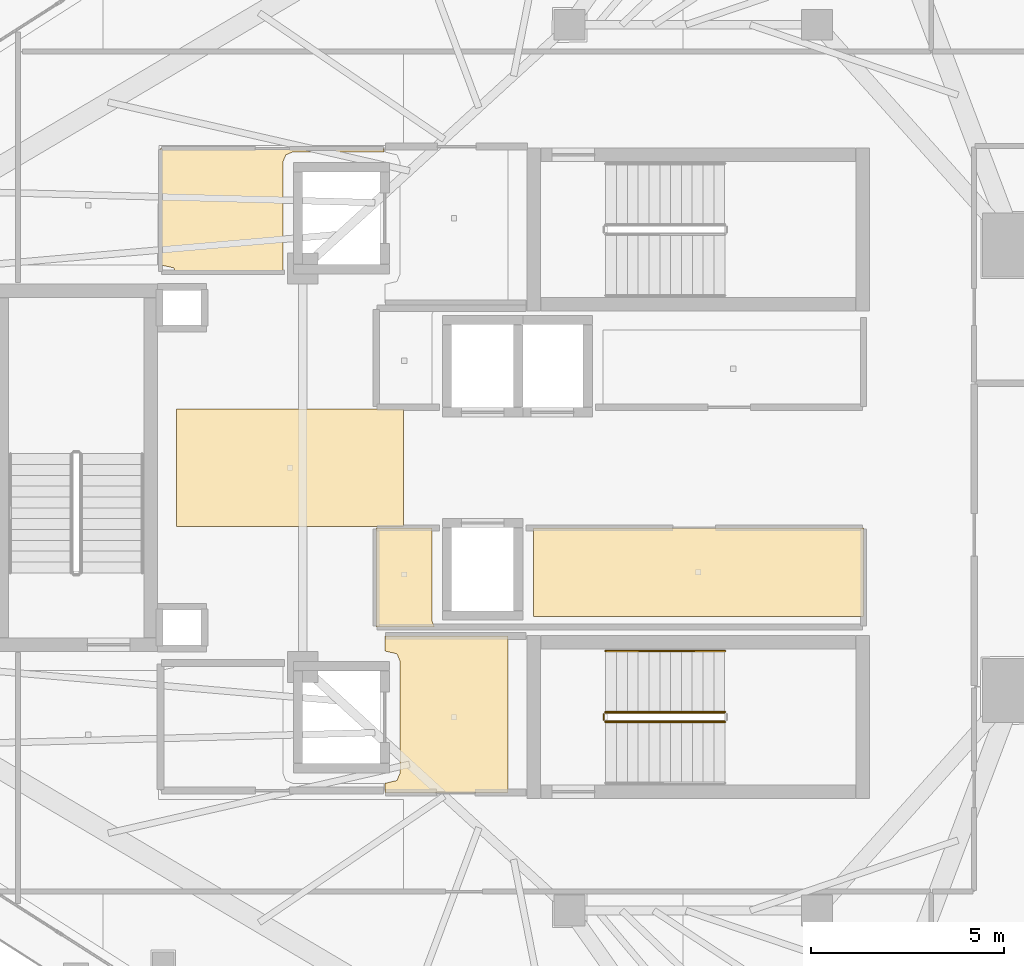
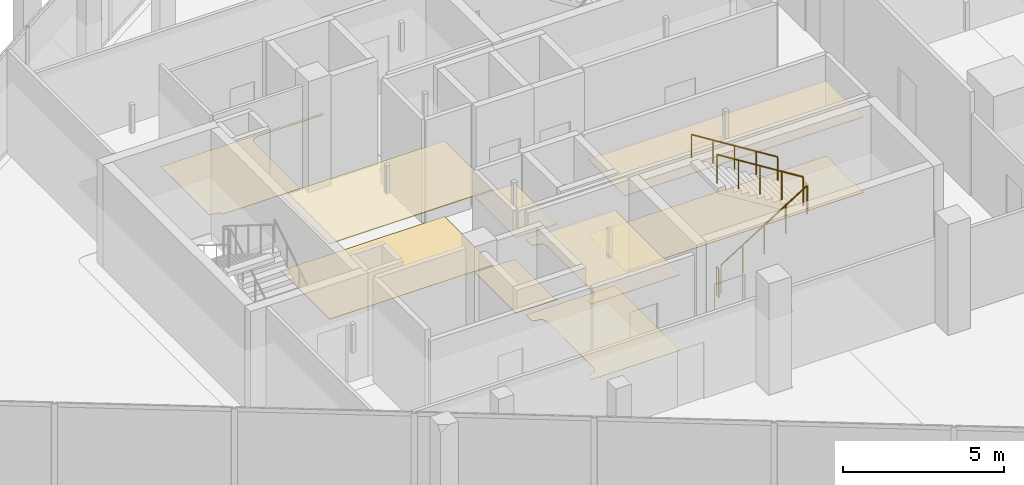
# One storey, part 31 of 34: 9 coverings, 4 railings.
"""IFC4 building model written with IfcOpenShell, lengths in metres."""

import ifcopenshell
import ifcopenshell.guid

model = None  # the IFC model being written
_history = None  # IfcOwnerHistory: only IFC2X3 demands one
_inside = {}  # id of a spatial element -> (the spatial element, [elements in it])
_under = {}  # id of a project, library or spatial element -> (it, [spatial elements below it])
_declared = {}  # id of a project -> (the project, [libraries it declares])
_typed = {}  # id of a type object -> (the type object, [elements of that type])
_made_of = {}  # id of a material, layer set ... -> (it, [elements and type objects made of it])


def new_model(schema):
    """Start an empty IFC model of exactly this schema.

    Asked for "IFC4X3", IfcOpenShell would pick the latest addendum, in which some entities
    have other attributes; the version numbers below select the first issue.
    IFC2X3 requires an IfcOwnerHistory on every rooted entity: one is made here for all.
    """
    global model, _history
    if schema == "IFC4X3":
        model = ifcopenshell.file(schema_version=(4, 3, 0, 0))
    else:
        model = ifcopenshell.file(schema=schema)
    _inside.clear()
    _under.clear()
    _declared.clear()
    _typed.clear()
    _made_of.clear()
    _history = None
    if model.schema == "IFC2X3":
        org = make("IfcOrganization", Name="unknown")
        user = make(
            "IfcPersonAndOrganization",
            ThePerson=make("IfcPerson", FamilyName="unknown"),
            TheOrganization=org,
        )
        app = make(
            "IfcApplication",
            ApplicationDeveloper=org,
            Version="unknown",
            ApplicationFullName="unknown",
            ApplicationIdentifier="unknown",
        )
        _history = make(
            "IfcOwnerHistory",
            OwningUser=user,
            OwningApplication=app,
            ChangeAction="ADDED",
            CreationDate=0,
        )
    return model


def make(cls, **values):
    """One entity of the class cls with the attributes given. An attribute that is None is left unset."""
    return model.create_entity(
        cls, **{name: value for name, value in values.items() if value is not None}
    )


def rooted(cls, **values):
    """An entity with a GlobalId (a new one), such as an element, a storey or a relation."""
    return make(cls, GlobalId=ifcopenshell.guid.new(), OwnerHistory=_history, **values)


def si_unit(unit_type, name, prefix=None):
    """IfcSIUnit, for example si_unit("LENGTHUNIT", "METRE", prefix="MILLI")."""
    return make("IfcSIUnit", UnitType=unit_type, Prefix=prefix, Name=name)


def assignment(units):
    """IfcUnitAssignment: the units of a project."""
    return None if units is None else make("IfcUnitAssignment", Units=units)


def point(xyz):
    """IfcCartesianPoint."""
    return None if xyz is None else make("IfcCartesianPoint", Coordinates=xyz)


def direction(xyz):
    """IfcDirection."""
    return None if xyz is None else make("IfcDirection", DirectionRatios=xyz)


def frame(location, z_axis=None, x_axis=None):
    """IfcAxis2Placement3D, a coordinate frame: its origin and axes. An axis left out is left unset."""
    return make(
        "IfcAxis2Placement3D",
        Location=point(location),
        Axis=direction(z_axis),
        RefDirection=direction(x_axis),
    )


def frame_2d(location, x_axis=None):
    """IfcAxis2Placement2D, a coordinate frame in the plane: its origin and x axis."""
    return make(
        "IfcAxis2Placement2D", Location=point(location), RefDirection=direction(x_axis)
    )


def origin():
    """The frame at (0, 0, 0) with its axes left unset."""
    return frame((0.0, 0.0, 0.0))


def origin_2d():
    """The frame at (0, 0) in the plane with its x axis left unset."""
    return frame_2d((0.0, 0.0))


def place(relative_to, where):
    """IfcLocalPlacement: puts the frame where relative to a parent placement (None: the world)."""
    return make(
        "IfcLocalPlacement", PlacementRelTo=relative_to, RelativePlacement=where
    )


def context(
    kind, dimensions, precision=None, world=None, true_north=None, identifier=None
):
    """IfcGeometricRepresentationContext, for example the 3D "Model" context."""
    return make(
        "IfcGeometricRepresentationContext",
        ContextIdentifier=identifier,
        ContextType=kind,
        CoordinateSpaceDimension=dimensions,
        Precision=precision,
        WorldCoordinateSystem=world,
        TrueNorth=true_north,
    )


def subcontext(parent, identifier, kind, view, scale=None):
    """IfcGeometricRepresentationSubContext, for example "Body" below "Model"."""
    return make(
        "IfcGeometricRepresentationSubContext",
        ContextIdentifier=identifier,
        ContextType=kind,
        ParentContext=parent,
        TargetScale=scale,
        TargetView=view,
    )


def project(units=None, contexts=None):
    """IfcProject with its units and contexts."""
    return rooted(
        "IfcProject",
        Name="project",
        RepresentationContexts=contexts,
        UnitsInContext=assignment(units),
    )


def spatial(cls, under=None, at=None, **own):
    """A site, building, storey or space (cls), placed at a placement, below another one or the project."""
    s = rooted(cls, ObjectPlacement=at, **own)
    if under is not None:
        _under.setdefault(under.id(), (under, []))[1].append(s)
    return s


def polyline(points):
    """IfcPolyline through the points."""
    return make("IfcPolyline", Points=[point(p) for p in points])


def profile(cls, at=None, kind="AREA", **sizes):
    """A parametric profile (cls). Its sizes go by their IFC names, for example OverallWidth=200.0."""
    return make(cls, ProfileType=kind, Position=at, **sizes)


def circle(**sizes):
    """IfcCircleProfileDef."""
    return profile("IfcCircleProfileDef", **sizes)


def outline(outer, holes=None, kind="AREA"):
    """IfcArbitraryClosedProfileDef: a profile drawn as a closed curve; with holes, ...WithVoids."""
    if holes is None:
        return make("IfcArbitraryClosedProfileDef", ProfileType=kind, OuterCurve=outer)
    return make(
        "IfcArbitraryProfileDefWithVoids",
        ProfileType=kind,
        OuterCurve=outer,
        InnerCurves=holes,
    )


def extrude(swept, where, along, depth):
    """IfcExtrudedAreaSolid: the profile swept, set in the frame where, extruded along a direction by depth."""
    return make(
        "IfcExtrudedAreaSolid",
        SweptArea=swept,
        Position=where,
        ExtrudedDirection=direction(along),
        Depth=depth,
    )


def shape(context_of_items, identifier, shape_type, items):
    """IfcShapeRepresentation: the items that make up one representation, for example the "Body"."""
    return make(
        "IfcShapeRepresentation",
        ContextOfItems=context_of_items,
        RepresentationIdentifier=identifier,
        RepresentationType=shape_type,
        Items=items,
    )


def material(Name=None, Category=None):
    """IfcMaterial."""
    return make("IfcMaterial", Name=Name, Category=Category)


def layer(
    of_material, thickness, ventilated=None, Name=None, Category=None, Priority=None
):
    """IfcMaterialLayer: one layer of a wall or slab, of a material (None: an air gap)."""
    return make(
        "IfcMaterialLayer",
        Material=of_material,
        LayerThickness=thickness,
        IsVentilated=ventilated,
        Name=Name,
        Category=Category,
        Priority=Priority,
    )


def layer_set(layers, Name=None):
    """IfcMaterialLayerSet."""
    return make("IfcMaterialLayerSet", MaterialLayers=layers, LayerSetName=Name)


def made_of(thing, what):
    """Note that an element or type object is made of a material, layer set ...; save() writes the relation."""
    if what is not None:
        _made_of.setdefault(what.id(), (what, []))[1].append(thing)
    return thing


def type_object(cls, material=None, **own):
    """A type object (cls), such as IfcWallType, which elements share."""
    return made_of(rooted(cls, **own), material)


def element(
    cls,
    number,
    at=None,
    inside=None,
    cuts=None,
    type_object=None,
    material=None,
    context=None,
    identifier="Body",
    shape_type=None,
    held_by="IfcProductDefinitionShape",
    body=None,
    shapes=None,
    **own,
):
    """One element of the class cls, such as IfcWall. Its Tag is "e" and its number.

    at: its placement. inside: the storey or other place that contains it. cuts: it is an
    opening in that element (IfcRelVoidsElement). A single representation is given by context,
    identifier, shape_type and body (its items); several are given by shapes. held_by: the class
    of the entity that holds the representations. save() writes the other relations.
    """
    e = rooted(cls, Tag="e%d" % number, ObjectPlacement=at, **own)
    if body is not None:
        shapes = [shape(context, identifier, shape_type, body)]
    if shapes is not None:
        e.Representation = make(held_by, Representations=shapes)
    if inside is not None:
        _inside.setdefault(inside.id(), (inside, []))[1].append(e)
    if cuts is not None:
        rooted(
            "IfcRelVoidsElement", RelatingBuildingElement=cuts, RelatedOpeningElement=e
        )
    if type_object is not None:
        _typed.setdefault(type_object.id(), (type_object, []))[1].append(e)
    return made_of(e, material)


def aggregate(whole, parts):
    """IfcRelAggregates: a whole, such as a stair, and the parts it consists of."""
    return rooted("IfcRelAggregates", RelatingObject=whole, RelatedObjects=parts)


def save(model, path):
    """Write the relations noted so far, then the file.

    IfcRelAggregates (storeys below a building ...), IfcRelContainedInSpatialStructure (elements
    in a storey), IfcRelDefinesByType, IfcRelAssociatesMaterial and IfcRelDeclares: one each for
    every whole, place, type object, material and project.
    """
    for whole, parts in _under.values():
        aggregate(whole, parts)
    for where, things in _inside.values():
        rooted(
            "IfcRelContainedInSpatialStructure",
            RelatedElements=things,
            RelatingStructure=where,
        )
    for kind, things in _typed.values():
        rooted("IfcRelDefinesByType", RelatedObjects=things, RelatingType=kind)
    for what, things in _made_of.values():
        rooted("IfcRelAssociatesMaterial", RelatedObjects=things, RelatingMaterial=what)
    for by, libraries in _declared.values():
        rooted("IfcRelDeclares", RelatingContext=by, RelatedDefinitions=libraries)
    model.write(path)


model = new_model("IFC4")

# Units and contexts
model_context = context("Model", 3, precision=1e-05, world=origin(), true_north=direction((0.0, 1.0)))
body_context = subcontext(model_context, "Body", "Model", "MODEL_VIEW")
ifc_project = project(units=[si_unit("LENGTHUNIT", "METRE"), si_unit("AREAUNIT", "SQUARE_METRE"), si_unit("VOLUMEUNIT", "CUBIC_METRE"), si_unit("PLANEANGLEUNIT", "RADIAN"), si_unit("MASSUNIT", "GRAM", prefix="KILO")], contexts=[model_context])

# Site, building, storey
site_placement = place(None, origin())
site = spatial("IfcSite", under=ifc_project, at=site_placement, CompositionType="ELEMENT")
building_placement = place(site_placement, origin())
building = spatial("IfcBuilding", under=site, at=building_placement, Name="Qorvath Tower", CompositionType="ELEMENT")
storey_placement = place(building_placement, frame((0.0, 0.0, 268.199951171875)))
storey = spatial("IfcBuildingStorey", under=building, at=storey_placement, Name="L62", CompositionType="ELEMENT", Elevation=268.199951171875)

# Coverings
ifc_material_1 = material(Name="Acoustic mineral fibre ceiling tile", Category="gypsum")
ifc_layer_1 = layer(ifc_material_1, 0.030029296875)
ifc_layer_set_1 = layer_set([ifc_layer_1], Name="COV-CEIL")
covering_type_1 = type_object("IfcCoveringType", Name="COV-CEIL", PredefinedType="CEILING", material=ifc_layer_set_1)
covering_1_placement = place(storey_placement, frame((0.0, 0.0, 2.85009765625)))
element("IfcCovering", 1, at=covering_1_placement, inside=storey, type_object=covering_type_1, Name="L62 Suspended Acoustic Ceiling 002", PredefinedType="CEILING", context=body_context, shape_type="SweptSolid", body=[
    extrude(outline(polyline([(-25.18994140625, -8.39501953125), (-25.18994140625, -4.35498046875), (-28.375, -4.35498046875), (-28.375, -4.739990234375), (-28.063232421875, -4.813232421875), (-27.989990234375, -4.989990234375), (-27.989990234375, -7.909912109375), (-28.063232421875, -8.086669921875), (-28.375, -8.159912109375), (-28.375, -8.39501953125), (-25.18994140625, -8.39501953125)])), origin(), (0.0, 0.0, 1.0), 0.030029296875),
])
covering_2_placement = place(storey_placement, frame((0.0, 0.0, 2.85009765625)))
element("IfcCovering", 2, at=covering_2_placement, inside=storey, type_object=covering_type_1, Name="L62 Suspended Acoustic Ceiling 005", PredefinedType="CEILING", context=body_context, shape_type="SweptSolid", body=[
    extrude(outline(polyline([(-24.5400390625, -1.56494140625), (-24.5400390625, -3.85009765625), (-16.0048828125, -3.85009765625), (-16.0048828125, -1.56494140625), (-24.5400390625, -1.56494140625)])), origin(), (0.0, 0.0, 1.0), 0.030029296875),
])
covering_3_placement = place(storey_placement, frame((0.0, 0.0, 2.85009765625)))
element("IfcCovering", 3, at=covering_3_placement, inside=storey, type_object=covering_type_1, Name="L62 Suspended Acoustic Ceiling 006", PredefinedType="CEILING", context=body_context, shape_type="SweptSolid", body=[
    extrude(outline(polyline([(-27.095703125, -4.114990234375), (-27.159912109375, -3.9599609375), (-27.159912109375, -1.56494140625), (-28.594970703125, -1.56494140625), (-28.594970703125, -4.114990234375), (-27.095703125, -4.114990234375)])), origin(), (0.0, 0.0, 1.0), 0.030029296875),
])
covering_4_placement = place(storey_placement, frame((0.0, 0.0, 2.85009765625)))
element("IfcCovering", 4, at=covering_4_placement, inside=storey, type_object=covering_type_1, Name="L62 Suspended Acoustic Ceiling 011", PredefinedType="CEILING", context=body_context, shape_type="SweptSolid", body=[
    extrude(outline(polyline([(-27.8984375, -1.514892578125), (-27.8984375, 1.514892578125), (-33.760009765625, 1.514892578125), (-33.760009765625, -1.514892578125), (-27.8984375, -1.514892578125)])), origin(), (0.0, 0.0, 1.0), 0.030029296875),
])
ifc_material_2 = material(Name="Low-VOC modular carpet tile", Category="textile")
ifc_layer_2 = layer(ifc_material_2, 0.014892578125)
ifc_layer_set_2 = layer_set([ifc_layer_2], Name="COV-FLOOR-CPT")
covering_type_2 = type_object("IfcCoveringType", Name="COV-FLOOR-CPT", PredefinedType="FLOORING", material=ifc_layer_set_2)
covering_5_placement = place(storey_placement, origin())
element("IfcCovering", 5, at=covering_5_placement, inside=storey, type_object=covering_type_2, Name="L62 Floor Finish 005", PredefinedType="FLOORING", context=body_context, shape_type="SweptSolid", body=[
    extrude(outline(polyline([(-24.5400390625, -1.56494140625), (-24.5400390625, -3.85009765625), (-16.0048828125, -3.85009765625), (-16.0048828125, -1.56494140625), (-24.5400390625, -1.56494140625)])), origin(), (0.0, 0.0, 1.0), 0.01513671875),
])
covering_6_placement = place(storey_placement, origin())
element("IfcCovering", 6, at=covering_6_placement, inside=storey, type_object=covering_type_2, Name="L62 Floor Finish 006", PredefinedType="FLOORING", context=body_context, shape_type="SweptSolid", body=[
    extrude(outline(polyline([(-27.095703125, -4.114990234375), (-27.159912109375, -3.9599609375), (-27.159912109375, -1.56494140625), (-28.594970703125, -1.56494140625), (-28.594970703125, -4.114990234375), (-27.095703125, -4.114990234375)])), origin(), (0.0, 0.0, 1.0), 0.01513671875),
])
ifc_material_3 = material(Name="Polished epoxy terrazzo flooring", Category="concrete")
ifc_layer_3 = layer(ifc_material_3, 0.02001953125)
ifc_layer_set_3 = layer_set([ifc_layer_3], Name="COV-FLOOR-TRZ")
covering_type_3 = type_object("IfcCoveringType", Name="COV-FLOOR-TRZ", PredefinedType="FLOORING", material=ifc_layer_set_3)
covering_7_placement = place(storey_placement, origin())
element("IfcCovering", 7, at=covering_7_placement, inside=storey, type_object=covering_type_3, Name="L62 Floor Finish 002", PredefinedType="FLOORING", context=body_context, shape_type="SweptSolid", body=[
    extrude(outline(polyline([(-25.18994140625, -8.39501953125), (-25.18994140625, -4.35498046875), (-28.375, -4.35498046875), (-28.375, -4.739990234375), (-28.063232421875, -4.813232421875), (-27.989990234375, -4.989990234375), (-27.989990234375, -7.909912109375), (-28.063232421875, -8.086669921875), (-28.375, -8.159912109375), (-28.375, -8.39501953125), (-25.18994140625, -8.39501953125)])), origin(), (0.0, 0.0, 1.0), 0.01513671875),
])
covering_8_placement = place(storey_placement, origin())
element("IfcCovering", 8, at=covering_8_placement, inside=storey, type_object=covering_type_3, Name="L62 Floor Finish 007", PredefinedType="FLOORING", context=body_context, shape_type="SweptSolid", body=[
    extrude(outline(polyline([(-31.010009765625, 5.054931640625), (-31.010009765625, 7.909912109375), (-30.936767578125, 8.086669921875), (-30.760009765625, 8.159912109375), (-28.39306640625, 8.159912109375), (-28.39306640625, 8.2451171875), (-34.175048828125, 8.2451171875), (-34.175048828125, 5.239990234375), (-33.833251953125, 5.166748046875), (-33.786865234375, 5.054931640625), (-31.010009765625, 5.054931640625)])), origin(), (0.0, 0.0, 1.0), 0.01513671875),
])
covering_9_placement = place(storey_placement, origin())
element("IfcCovering", 9, at=covering_9_placement, inside=storey, type_object=covering_type_3, Name="L62 Floor Finish 011", PredefinedType="FLOORING", context=body_context, shape_type="SweptSolid", body=[
    extrude(outline(polyline([(-27.8984375, -1.514892578125), (-27.8984375, 1.514892578125), (-33.760009765625, 1.514892578125), (-33.760009765625, -1.514892578125), (-27.8984375, -1.514892578125)])), origin(), (0.0, 0.0, 1.0), 0.01513671875),
])

# Railings
ifc_material_4 = material(Name="Painted galvanised steel", Category="steel")
railing_type_1 = type_object("IfcRailingType", Name="RL-STR-GRD", PredefinedType="GUARDRAIL", material=ifc_material_4)
railing_1_placement = place(storey_placement, frame((-22.669921875, -6.570068359375, 0.175048828125)))
element("IfcRailing", 10, at=railing_1_placement, inside=storey, type_object=railing_type_1, Name="L62 TS2 stair guard 1", PredefinedType="GUARDRAIL", context=body_context, shape_type="SweptSolid", body=[
    extrude(circle(Radius=0.02392578125, at=origin_2d()), frame((0.0, 0.0, 1.076171875), z_axis=(0.847979421464, 0.0, 0.530029150871), x_axis=(0.0, 1.0, 0.0)), (0.0, 0.0, 1.0), 3.632080078125),
    extrude(circle(Radius=0.02099609375, at=origin_2d()), origin(), (0.0, 0.0, 1.0), 1.052001953125),
    extrude(circle(Radius=0.02099609375, at=origin_2d()), frame((0.77001953125, 0.0, 0.481201171875)), (0.0, 0.0, 1.0), 1.052001953125),
    extrude(circle(Radius=0.02099609375, at=origin_2d()), frame((1.5400390625, 0.0, 0.96240234375)), (0.0, 0.0, 1.0), 1.052001953125),
    extrude(circle(Radius=0.02099609375, at=origin_2d()), frame((2.309814453125, 0.0, 1.44384765625)), (0.0, 0.0, 1.0), 1.052001953125),
    extrude(circle(Radius=0.02099609375, at=origin_2d()), frame((3.079833984375, 0.0, 1.925048828125)), (0.0, 0.0, 1.0), 1.052001953125),
])
railing_2_placement = place(storey_placement, frame((-19.590087890625, -6.320068359375, 2.275146484375)))
element("IfcRailing", 11, at=railing_2_placement, inside=storey, type_object=railing_type_1, Name="L62 TS2 stair guard 3", PredefinedType="GUARDRAIL", context=body_context, shape_type="SweptSolid", body=[
    extrude(circle(Radius=0.02392578125, at=origin_2d()), frame((0.0, 0.0, 1.076171875), z_axis=(-0.848009633417, 0.0, 0.529980812513), x_axis=(0.0, -1.0, 0.0)), (0.0, 0.0, 1.0), 3.6318359375),
    extrude(circle(Radius=0.02099609375, at=origin_2d()), origin(), (0.0, 0.0, 1.0), 1.052001953125),
    extrude(circle(Radius=0.02099609375, at=origin_2d()), frame((-0.77001953125, 0.0, 0.481201171875)), (0.0, 0.0, 1.0), 1.052001953125),
    extrude(circle(Radius=0.02099609375, at=origin_2d()), frame((-1.5400390625, 0.0, 0.96240234375)), (0.0, 0.0, 1.0), 1.052001953125),
    extrude(circle(Radius=0.02099609375, at=origin_2d()), frame((-2.309814453125, 0.0, 1.443603515625)), (0.0, 0.0, 1.0), 1.052001953125),
    extrude(circle(Radius=0.02099609375, at=origin_2d()), frame((-3.079833984375, 0.0, 1.9248046875)), (0.0, 0.0, 1.0), 1.052001953125),
])
railing_3_placement = place(storey_placement, frame((-22.719970703125, -6.52001953125, 0.0)))
element("IfcRailing", 12, at=railing_3_placement, inside=storey, type_object=railing_type_1, Name="L62 TS2 stair guard 4", PredefinedType="GUARDRAIL", context=body_context, shape_type="SweptSolid", body=[
    extrude(circle(Radius=0.02392578125, at=origin_2d()), frame((0.0, 0.0, 1.076171875), z_axis=(0.0, 1.0, 0.0), x_axis=(-1.0, 0.0, 0.0)), (0.0, 0.0, 1.0), 0.14990234375),
    extrude(circle(Radius=0.02099609375, at=origin_2d()), origin(), (0.0, 0.0, 1.0), 1.052001953125),
    extrude(circle(Radius=0.02099609375, at=origin_2d()), frame((0.0, 0.14990234375, 0.0)), (0.0, 0.0, 1.0), 1.052001953125),
])
ifc_material_5 = material(Name="Brushed stainless steel AISI 304", Category="steel")
railing_type_2 = type_object("IfcRailingType", Name="RL-STR-HND", PredefinedType="HANDRAIL", material=ifc_material_5)
railing_4_placement = place(storey_placement, frame((-19.590087890625, -4.739990234375, 2.275146484375)))
element("IfcRailing", 13, at=railing_4_placement, inside=storey, type_object=railing_type_2, Name="L62 TS2 stair handrail 2", PredefinedType="HANDRAIL", context=body_context, shape_type="SweptSolid", body=[
    extrude(circle(Radius=0.02392578125, at=origin_2d()), frame((0.0, 0.0, 0.8759765625), z_axis=(-0.848009633417, 0.0, 0.529980812513), x_axis=(0.0, -1.0, 0.0)), (0.0, 0.0, 1.0), 3.6318359375),
    extrude(circle(Radius=0.02099609375, at=origin_2d()), origin(), (0.0, 0.0, 1.0), 0.851806640625),
    extrude(circle(Radius=0.02099609375, at=origin_2d()), frame((-0.77001953125, 0.0, 0.481201171875)), (0.0, 0.0, 1.0), 0.851806640625),
    extrude(circle(Radius=0.02099609375, at=origin_2d()), frame((-1.5400390625, 0.0, 0.96240234375)), (0.0, 0.0, 1.0), 0.851806640625),
    extrude(circle(Radius=0.02099609375, at=origin_2d()), frame((-2.309814453125, 0.0, 1.443603515625)), (0.0, 0.0, 1.0), 0.851806640625),
    extrude(circle(Radius=0.02099609375, at=origin_2d()), frame((-3.079833984375, 0.0, 1.9248046875)), (0.0, 0.0, 1.0), 0.851806640625),
])

save(model, "model.ifc")
